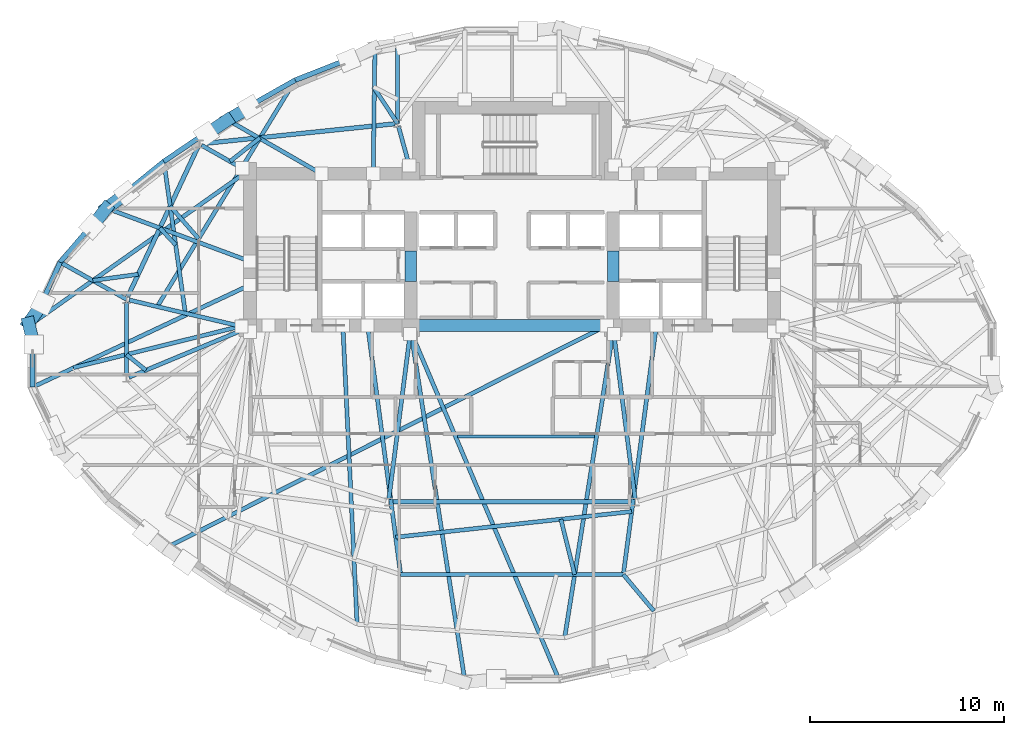
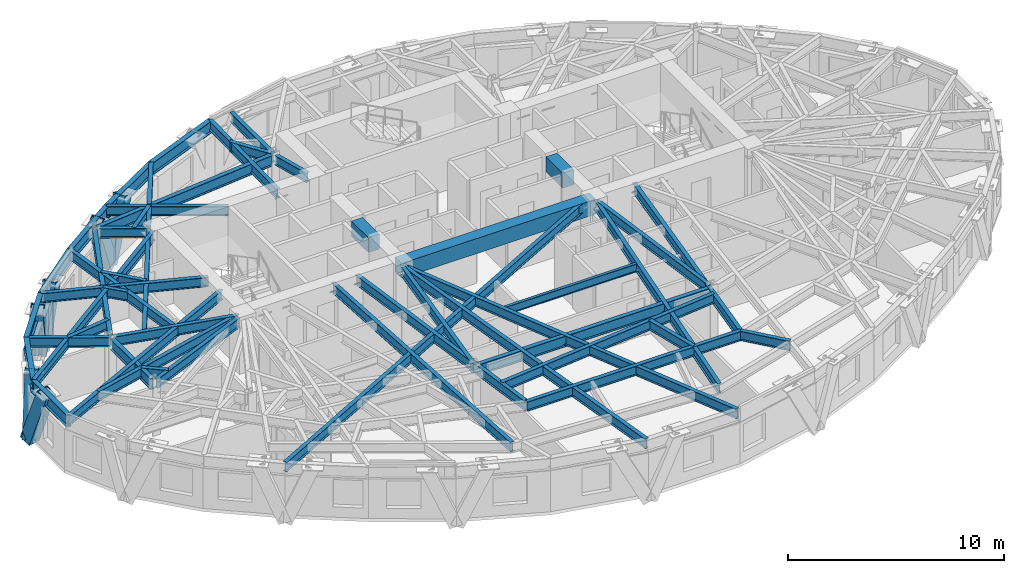
# One storey, part 2 of 14: 48 beams, 6 members.
"""IFC4 building model written with IfcOpenShell, lengths in metres."""

from ifc_helpers import new_model, si_unit, direction, frame, origin, origin_2d, place, context, subcontext, project, spatial, rectangle, hollow_rectangle, i_section, extrude, material, material_profile, profile_set, type_object, element, save


model = new_model("IFC4")

# Units and contexts
model_context = context("Model", 3, precision=1e-05, world=origin(), true_north=direction((0.0, 1.0)))
body_context = subcontext(model_context, "Body", "Model", "MODEL_VIEW")
ifc_project = project(units=[si_unit("LENGTHUNIT", "METRE"), si_unit("AREAUNIT", "SQUARE_METRE"), si_unit("VOLUMEUNIT", "CUBIC_METRE"), si_unit("PLANEANGLEUNIT", "RADIAN"), si_unit("MASSUNIT", "GRAM", prefix="KILO")], contexts=[model_context])

# Site, building, storey
site_placement = place(None, origin())
site = spatial("IfcSite", under=ifc_project, at=site_placement, CompositionType="ELEMENT")
building_placement = place(site_placement, origin())
building = spatial("IfcBuilding", under=site, at=building_placement, Name="Keldmark Tower", CompositionType="ELEMENT")
storey_placement = place(building_placement, frame((0.0, 0.0, 185.39990234375)))
storey = spatial("IfcBuildingStorey", under=building, at=storey_placement, Name="L51", CompositionType="ELEMENT", Elevation=185.39990234375)

# Beams
ifc_material_1 = material(Name="Steel ASTM A992 Grade 50", Category="steel")
ifc_material_profile_1 = material_profile(ifc_material_1, i_section(OverallWidth=0.153076171875, OverallDepth=0.455078125, WebThickness=0.008056640625, FlangeThickness=0.01318359375, at=origin_2d()), Name="W18X40")
ifc_profile_set_1 = profile_set([ifc_material_profile_1], Name="Steel ASTM A992 Grade 50")
beam_type_1 = type_object("IfcBeamType", Name="Composite Floor Joist W18X40", PredefinedType="JOIST", material=ifc_profile_set_1)
beam_1_placement = place(storey_placement, frame((-2.804443359375, -4.179931640625, 2.79248046875), z_axis=(1.0, 0.0, 0.0), x_axis=(0.0, 1.0, 0.0)))
element("IfcBeam", 1, at=beam_1_placement, inside=storey, type_object=beam_type_1, Name="L51 Composite Floor Joist J03", PredefinedType="JOIST", context=body_context, shape_type="SweptSolid", body=[
    extrude(i_section(OverallWidth=0.153076171875, OverallDepth=0.455078125, WebThickness=0.008056640625, FlangeThickness=0.01318359375, at=origin_2d()), origin(), (0.0, 0.0, 1.0), 7.0556640625),
])
ifc_material_2 = material(Name="Concrete C50/60", Category="concrete")
ifc_material_profile_2 = material_profile(ifc_material_2, rectangle(XDim=0.60009765625, YDim=0.85009765625, at=origin_2d()), Name="RCB600X850")
ifc_profile_set_2 = profile_set([ifc_material_profile_2], Name="Concrete C50/60")
beam_type_2 = type_object("IfcBeamType", Name="Core Coupling Beam RCB600X850", PredefinedType="USERDEFINED", material=ifc_profile_set_2)
for number, where, z_axis, x_axis, name in (
    (2, (-5.199951171875, 3.800048828125, 2.59521484375), (0.0, 1.0, 0.0), (-1.0, 0.0, 0.0), "L51 West Core Coupling Beam"),
    (3, (5.199951171875, 3.800048828125, 2.59521484375), (0.0, 1.0, 0.0), (-1.0, 0.0, 0.0), "L51 East Core Coupling Beam"),
):
    element("IfcBeam", number, at=place(storey_placement, frame(where, z_axis=z_axis, x_axis=x_axis)), inside=storey, type_object=beam_type_2, Name=name, ObjectType="COUPLING BEAM", PredefinedType="USERDEFINED", context=body_context, shape_type="SweptSolid", body=[
        extrude(rectangle(XDim=0.60009765625, YDim=0.85009765625, at=origin_2d()), origin(), (0.0, 0.0, 1.0), 1.550048828125),
    ])
beam_2_placement = place(storey_placement, frame((-5.199951171875, 1.52490234375, 2.59521484375), z_axis=(1.0, 0.0, 0.0), x_axis=(0.0, 1.0, 0.0)))
element("IfcBeam", 4, at=beam_2_placement, inside=storey, type_object=beam_type_2, Name="L51 Central South Core Coupling Beam", ObjectType="COUPLING BEAM", PredefinedType="USERDEFINED", context=body_context, shape_type="SweptSolid", body=[
    extrude(rectangle(XDim=0.60009765625, YDim=0.85009765625, at=origin_2d()), origin(), (0.0, 0.0, 1.0), 10.39990234375),
])

# Members
ifc_material_3 = material(Name="Steel ASTM A572 Grade 50", Category="steel")
ifc_material_profile_3 = material_profile(ifc_material_3, hollow_rectangle(XDim=0.64990234375, YDim=0.64990234375, WallThickness=0.0400390625, at=origin_2d()), Name="BOX650X650X40")
ifc_profile_set_3 = profile_set([ifc_material_profile_3], Name="Steel ASTM A572 Grade 50")
member_type = type_object("IfcMemberType", Name="Diagrid Zone 3 Brace BOX650X650X40", PredefinedType="BRACE", material=ifc_profile_set_3)
member_1_placement = place(storey_placement, frame((-14.654541015625, 12.075927734375, -0.260009765625), z_axis=(0.340100978366, 0.197397790075, 0.919437565574), x_axis=(-0.501982989483, 0.864877493215, 0.0)))
element("IfcMember", 5, at=member_1_placement, inside=storey, type_object=member_type, Name="L51 Perimeter Diagrid Brace 06A", PredefinedType="BRACE", context=body_context, shape_type="SweptSolid", body=[
    extrude(hollow_rectangle(XDim=0.64990234375, YDim=0.64990234375, WallThickness=0.0400390625, at=origin_2d()), origin(), (0.0, 0.0, 1.0), 3.43701171875),
])
member_2_placement = place(storey_placement, frame((-14.644775390625, 12.08251953125, -0.260009765625), z_axis=(-0.316813120442, -0.209469717125, 0.925068583578), x_axis=(0.551526230064, -0.834157549598, 0.0)))
element("IfcMember", 6, at=member_2_placement, inside=storey, type_object=member_type, Name="L51 Perimeter Diagrid Brace 06B", PredefinedType="BRACE", context=body_context, shape_type="SweptSolid", body=[
    extrude(hollow_rectangle(XDim=0.64990234375, YDim=0.64990234375, WallThickness=0.0400390625, at=origin_2d()), origin(), (0.0, 0.0, 1.0), 3.416015625),
])
member_3_placement = place(storey_placement, frame((-20.87646484375, 7.54345703125, -0.260009765625), z_axis=(0.305871065271, 0.227885727126, 0.924397634572), x_axis=(-0.597450633982, 0.801905692681, 0.0)))
element("IfcMember", 7, at=member_3_placement, inside=storey, type_object=member_type, Name="L51 Perimeter Diagrid Brace 07A", PredefinedType="BRACE", context=body_context, shape_type="SweptSolid", body=[
    extrude(hollow_rectangle(XDim=0.64990234375, YDim=0.64990234375, WallThickness=0.0400390625, at=origin_2d()), origin(), (0.0, 0.0, 1.0), 3.418701171875),
])
member_4_placement = place(storey_placement, frame((-20.8701171875, 7.55322265625, -0.260009765625), z_axis=(-0.216571712892, -0.280647466507, 0.935058122642), x_axis=(0.791683692694, -0.610931199664, 0.0)))
element("IfcMember", 8, at=member_4_placement, inside=storey, type_object=member_type, Name="L51 Perimeter Diagrid Brace 07B", PredefinedType="BRACE", context=body_context, shape_type="SweptSolid", body=[
    extrude(hollow_rectangle(XDim=0.64990234375, YDim=0.64990234375, WallThickness=0.0400390625, at=origin_2d()), origin(), (0.0, 0.0, 1.0), 3.379638671875),
])
member_5_placement = place(storey_placement, frame((-24.865478515625, 1.646728515625, -0.260009765625), z_axis=(0.216765008416, 0.301620403835, 0.928460049284), x_axis=(-0.812046830556, 0.583592276323, 0.0)))
element("IfcMember", 9, at=member_5_placement, inside=storey, type_object=member_type, Name="L51 Perimeter Diagrid Brace 08A", PredefinedType="BRACE", context=body_context, shape_type="SweptSolid", body=[
    extrude(hollow_rectangle(XDim=0.64990234375, YDim=0.64990234375, WallThickness=0.0400390625, at=origin_2d()), origin(), (0.0, 0.0, 1.0), 3.403564453125),
])
member_6_placement = place(storey_placement, frame((-24.863037109375, 1.658203125, -0.260009765625), z_axis=(0.078726859085, -0.331756727213, 0.940074228775), x_axis=(0.97297963137, 0.230890963311, 0.0)))
element("IfcMember", 10, at=member_6_placement, inside=storey, type_object=member_type, Name="L51 Perimeter Diagrid Brace 08B", PredefinedType="BRACE", context=body_context, shape_type="SweptSolid", body=[
    extrude(hollow_rectangle(XDim=0.64990234375, YDim=0.64990234375, WallThickness=0.0400390625, at=origin_2d()), origin(), (0.0, 0.0, 1.0), 3.361572265625),
])

# Beams
ifc_material_4 = material(Name="Steel ASTM A992 Grade 50", Category="steel")
ifc_material_profile_4 = material_profile(ifc_material_4, i_section(OverallWidth=0.22900390625, OverallDepth=0.612060546875, WebThickness=0.011962890625, FlangeThickness=0.01953125, at=origin_2d()), Name="W24X84")
ifc_profile_set_4 = profile_set([ifc_material_profile_4], Name="Steel ASTM A992 Grade 50")
beam_type_3 = type_object("IfcBeamType", Name="Primary Floor Girder W24X84", PredefinedType="BEAM", material=ifc_profile_set_4)
beam_3_placement = place(storey_placement, frame((-6.01953125, 11.90087890625, 2.714111328125), z_axis=(-0.994702930931, -0.102791435423, 0.0), x_axis=(0.102791435423, -0.994702930931, 0.0)))
element("IfcBeam", 11, at=beam_3_placement, inside=storey, type_object=beam_type_3, Name="L51 Floor Ring Girder FG-R04", PredefinedType="BEAM", context=body_context, shape_type="SweptSolid", body=[
    extrude(i_section(OverallWidth=0.22900390625, OverallDepth=0.612060546875, WebThickness=0.011962890625, FlangeThickness=0.01953125, at=origin_2d()), origin(), (0.0, 0.0, 1.0), 9.975341796875),
])
beam_4_placement = place(storey_placement, frame((-16.140869140625, 10.734130859375, 2.714111328125), z_axis=(-0.424526823774, -0.905415360979, 0.0), x_axis=(0.905415360979, -0.424526823774, 0.0)))
element("IfcBeam", 12, at=beam_4_placement, inside=storey, type_object=beam_type_3, Name="L51 Floor Ring Girder FG-R05", PredefinedType="BEAM", context=body_context, shape_type="SweptSolid", body=[
    extrude(i_section(OverallWidth=0.22900390625, OverallDepth=0.612060546875, WebThickness=0.011962890625, FlangeThickness=0.01953125, at=origin_2d()), origin(), (0.0, 0.0, 1.0), 8.54638671875),
])
beam_5_placement = place(storey_placement, frame((-19.828369140625, 2.729248046875, 2.714111328125), z_axis=(0.0, -1.0, 0.0), x_axis=(1.0, 0.0, 0.0)))
element("IfcBeam", 13, at=beam_5_placement, inside=storey, type_object=beam_type_3, Name="L51 Floor Ring Girder FG-R06", PredefinedType="BEAM", context=body_context, shape_type="SweptSolid", body=[
    extrude(i_section(OverallWidth=0.22900390625, OverallDepth=0.612060546875, WebThickness=0.011962890625, FlangeThickness=0.01953125, at=origin_2d()), origin(), (0.0, 0.0, 1.0), 3.778564453125),
])
beam_6_placement = place(storey_placement, frame((-6.211181640625, -7.546142578125, 2.714111328125), z_axis=(1.0, 0.0, 0.0), x_axis=(0.0, 1.0, 0.0)))
element("IfcBeam", 14, at=beam_6_placement, inside=storey, type_object=beam_type_3, Name="L51 Floor Ring Girder FG-R09", PredefinedType="BEAM", context=body_context, shape_type="SweptSolid", body=[
    extrude(i_section(OverallWidth=0.22900390625, OverallDepth=0.612060546875, WebThickness=0.011962890625, FlangeThickness=0.01953125, at=origin_2d()), origin(), (0.0, 0.0, 1.0), 12.42236328125),
])
ifc_material_5 = material(Name="Steel ASTM A992 Grade 50", Category="steel")
ifc_material_profile_5 = material_profile(ifc_material_5, i_section(OverallWidth=0.2099609375, OverallDepth=0.537109375, WebThickness=0.010986328125, FlangeThickness=0.017333984375, at=origin_2d()), Name="W21X68")
ifc_profile_set_5 = profile_set([ifc_material_profile_5], Name="Steel ASTM A992 Grade 50")
beam_type_4 = type_object("IfcBeamType", Name="Radial Tie Girder W21X68", PredefinedType="BEAM", material=ifc_profile_set_5)
beam_7_placement = place(storey_placement, frame((-5.843017578125, 11.7802734375, 2.751708984375), z_axis=(0.265992411, -0.963975122755, 0.0), x_axis=(0.963975122755, 0.265992411, 0.0)))
element("IfcBeam", 15, at=beam_7_placement, inside=storey, type_object=beam_type_4, Name="L51 Floor Radial Girder FG-C04", PredefinedType="BEAM", context=body_context, shape_type="SweptSolid", body=[
    extrude(i_section(OverallWidth=0.2099609375, OverallDepth=0.537109375, WebThickness=0.010986328125, FlangeThickness=0.017333984375, at=origin_2d()), origin(), (0.0, 0.0, 1.0), 2.09716796875),
])
beam_8_placement = place(storey_placement, frame((-15.959716796875, 10.791748046875, 2.751708984375), z_axis=(0.86929527307, -0.494293160197, 0.0), x_axis=(0.494293160197, 0.86929527307, 0.0)))
element("IfcBeam", 16, at=beam_8_placement, inside=storey, type_object=beam_type_4, Name="L51 Floor Radial Girder FG-C05", PredefinedType="BEAM", context=body_context, shape_type="SweptSolid", body=[
    extrude(i_section(OverallWidth=0.2099609375, OverallDepth=0.537109375, WebThickness=0.010986328125, FlangeThickness=0.017333984375, at=origin_2d()), origin(), (0.0, 0.0, 1.0), 2.39453125),
])
beam_9_placement = place(storey_placement, frame((-19.692138671875, 2.837158203125, 2.751708984375), z_axis=(0.973280062348, -0.229621253887, 0.0), x_axis=(0.229621253887, 0.973280062348, 0.0)))
element("IfcBeam", 17, at=beam_9_placement, inside=storey, type_object=beam_type_4, Name="L51 Floor Radial Girder FG-C06", PredefinedType="BEAM", context=body_context, shape_type="SweptSolid", body=[
    extrude(i_section(OverallWidth=0.2099609375, OverallDepth=0.537109375, WebThickness=0.010986328125, FlangeThickness=0.017333984375, at=origin_2d()), origin(), (0.0, 0.0, 1.0), 5.939208984375),
])
beam_10_placement = place(storey_placement, frame((-19.69921875, -1.135498046875, 2.751708984375), z_axis=(0.923393794893, 0.383854008124, 0.0), x_axis=(-0.383854008124, 0.923393794893, 0.0)))
element("IfcBeam", 18, at=beam_10_placement, inside=storey, type_object=beam_type_4, Name="L51 Floor Radial Girder FG-C07", PredefinedType="BEAM", context=body_context, shape_type="SweptSolid", body=[
    extrude(i_section(OverallWidth=0.2099609375, OverallDepth=0.537109375, WebThickness=0.010986328125, FlangeThickness=0.017333984375, at=origin_2d()), origin(), (0.0, 0.0, 1.0), 6.28515625),
])
for number, where, z_axis, x_axis, name in (
    (19, (-6.333251953125, -7.4072265625, 2.751708984375), (0.127635577416, 0.991821132754, 0.0), (-0.991821132754, 0.127635577416, 0.0), "L51 Floor Radial Girder FG-C09"),
    (20, (6.333251953125, -7.4072265625, 2.751708984375), (-0.127635577416, 0.991821132754, 0.0), (-0.991821132754, -0.127635577416, 0.0), "L51 Floor Radial Girder FG-C10"),
):
    element("IfcBeam", number, at=place(storey_placement, frame(where, z_axis=z_axis, x_axis=x_axis)), inside=storey, type_object=beam_type_4, Name=name, PredefinedType="BEAM", context=body_context, shape_type="SweptSolid", body=[
        extrude(i_section(OverallWidth=0.2099609375, OverallDepth=0.537109375, WebThickness=0.010986328125, FlangeThickness=0.017333984375, at=origin_2d()), origin(), (0.0, 0.0, 1.0), 8.559814453125),
    ])
beam_11_placement = place(storey_placement, frame((-18.82861328125, -0.773681640625, 2.751708984375), z_axis=(-0.77873068282, 0.627358369383, 0.0), x_axis=(-0.627358369383, -0.77873068282, 0.0)))
element("IfcBeam", 21, at=beam_11_placement, inside=storey, type_object=beam_type_4, Name="L51 Framing Pin Header PH-001", PredefinedType="BEAM", context=body_context, shape_type="SweptSolid", body=[
    extrude(i_section(OverallWidth=0.2099609375, OverallDepth=0.537109375, WebThickness=0.010986328125, FlangeThickness=0.017333984375, at=origin_2d()), origin(), (0.0, 0.0, 1.0), 1.283935546875),
])
beam_12_placement = place(storey_placement, frame((-13.800048828125, 1.52490234375, 2.751708984375), z_axis=(-0.97066389738, -0.240440425727, 0.0), x_axis=(0.240440425727, -0.97066389738, 0.0)))
element("IfcBeam", 22, at=beam_12_placement, inside=storey, type_object=beam_type_4, Name="L51 Sub-Ring Step Girder STP1-M07", PredefinedType="BEAM", context=body_context, shape_type="SweptSolid", body=[
    extrude(i_section(OverallWidth=0.2099609375, OverallDepth=0.537109375, WebThickness=0.010986328125, FlangeThickness=0.017333984375, at=origin_2d()), origin(), (0.0, 0.0, 1.0), 9.022705078125),
])
beam_13_placement = place(storey_placement, frame((-7.425048828125, 1.52490234375, 2.751708984375), z_axis=(0.13137909978, -0.991332200698, 0.0), x_axis=(0.991332200698, 0.13137909978, 0.0)))
element("IfcBeam", 23, at=beam_13_placement, inside=storey, type_object=beam_type_4, Name="L51 Sub-Ring Step Girder STP1-M09", PredefinedType="BEAM", context=body_context, shape_type="SweptSolid", body=[
    extrude(i_section(OverallWidth=0.2099609375, OverallDepth=0.537109375, WebThickness=0.010986328125, FlangeThickness=0.017333984375, at=origin_2d()), origin(), (0.0, 0.0, 1.0), 12.922607421875),
])
beam_14_placement = place(storey_placement, frame((-5.98193359375, -9.364013671875, 2.751708984375), z_axis=(0.994138764913, 0.108111590947, 0.0), x_axis=(-0.108111590947, 0.994138764913, 0.0)))
element("IfcBeam", 24, at=beam_14_placement, inside=storey, type_object=beam_type_4, Name="L51 Framing Pin Header PH-004", PredefinedType="BEAM", context=body_context, shape_type="SweptSolid", body=[
    extrude(i_section(OverallWidth=0.2099609375, OverallDepth=0.537109375, WebThickness=0.010986328125, FlangeThickness=0.017333984375, at=origin_2d()), origin(), (0.0, 0.0, 1.0), 12.210205078125),
])
beam_15_placement = place(storey_placement, frame((7.425048828125, 1.52490234375, 2.751708984375), z_axis=(-0.13137909978, -0.991332200698, 0.0), x_axis=(0.991332200698, -0.13137909978, 0.0)))
element("IfcBeam", 25, at=beam_15_placement, inside=storey, type_object=beam_type_4, Name="L51 Sub-Ring Step Girder STP1-M10", PredefinedType="BEAM", context=body_context, shape_type="SweptSolid", body=[
    extrude(i_section(OverallWidth=0.2099609375, OverallDepth=0.537109375, WebThickness=0.010986328125, FlangeThickness=0.017333984375, at=origin_2d()), origin(), (0.0, 0.0, 1.0), 12.922607421875),
])
beam_16_placement = place(storey_placement, frame((-5.727294921875, -11.28564453125, 2.751708984375), z_axis=(1.0, 0.0, 0.0), x_axis=(0.0, 1.0, 0.0)))
element("IfcBeam", 26, at=beam_16_placement, inside=storey, type_object=beam_type_4, Name="L51 Perimeter Collector Ring Beam CRG1-M09", PredefinedType="BEAM", context=body_context, shape_type="SweptSolid", body=[
    extrude(i_section(OverallWidth=0.2099609375, OverallDepth=0.537109375, WebThickness=0.010986328125, FlangeThickness=0.017333984375, at=origin_2d()), origin(), (0.0, 0.0, 1.0), 11.45458984375),
])
beam_17_placement = place(storey_placement, frame((-8.699951171875, 1.52490234375, 2.751708984375), z_axis=(0.047594565649, -0.998866736517, 0.0), x_axis=(0.998866736517, 0.047594565649, 0.0)))
element("IfcBeam", 27, at=beam_17_placement, inside=storey, type_object=beam_type_4, Name="L51 Sub-Ring Step Girder STP2-M09", PredefinedType="BEAM", context=body_context, shape_type="SweptSolid", body=[
    extrude(i_section(OverallWidth=0.2099609375, OverallDepth=0.537109375, WebThickness=0.010986328125, FlangeThickness=0.017333984375, at=origin_2d()), origin(), (0.0, 0.0, 1.0), 15.37841796875),
])
beam_18_placement = place(storey_placement, frame((2.51513671875, -8.43994140625, 2.751708984375), z_axis=(0.241595261194, -0.970377106989, 0.0), x_axis=(0.970377106989, 0.241595261194, 0.0)))
element("IfcBeam", 28, at=beam_18_placement, inside=storey, type_object=beam_type_4, Name="L51 Framing Pin Header PH-009", PredefinedType="BEAM", context=body_context, shape_type="SweptSolid", body=[
    extrude(i_section(OverallWidth=0.2099609375, OverallDepth=0.537109375, WebThickness=0.010986328125, FlangeThickness=0.017333984375, at=origin_2d()), origin(), (0.0, 0.0, 1.0), 2.9326171875),
])
beam_19_placement = place(storey_placement, frame((5.199951171875, 1.199951171875, 2.751708984375), z_axis=(-0.156354450656, -0.987701010306, 0.0), x_axis=(0.987701010306, -0.156354450656, 0.0)))
element("IfcBeam", 29, at=beam_19_placement, inside=storey, type_object=beam_type_4, Name="L51 Sub-Ring Step Girder STP2-M10", PredefinedType="BEAM", context=body_context, shape_type="SweptSolid", body=[
    extrude(i_section(OverallWidth=0.2099609375, OverallDepth=0.537109375, WebThickness=0.010986328125, FlangeThickness=0.017333984375, at=origin_2d()), origin(), (0.0, 0.0, 1.0), 15.931640625),
])
beam_20_placement = place(storey_placement, frame((-14.502685546875, 9.96337890625, 2.751708984375), z_axis=(0.785294635807, 0.619122229429, 0.0), x_axis=(-0.619122229429, 0.785294635807, 0.0)))
element("IfcBeam", 30, at=beam_20_placement, inside=storey, type_object=beam_type_4, Name="L51 Framing Pin Header PH-016", PredefinedType="BEAM", context=body_context, shape_type="SweptSolid", body=[
    extrude(i_section(OverallWidth=0.2099609375, OverallDepth=0.537109375, WebThickness=0.010986328125, FlangeThickness=0.017333984375, at=origin_2d()), origin(), (0.0, 0.0, 1.0), 1.9716796875),
])
beam_21_placement = place(storey_placement, frame((-18.246826171875, 2.49609375, 2.751708984375), z_axis=(0.520230860699, 0.854025673839, 0.0), x_axis=(-0.854025673839, 0.520230860699, 0.0)))
element("IfcBeam", 31, at=beam_21_placement, inside=storey, type_object=beam_type_4, Name="L51 Perimeter Radial Tie Girder RT-11", PredefinedType="BEAM", context=body_context, shape_type="SweptSolid", body=[
    extrude(i_section(OverallWidth=0.2099609375, OverallDepth=0.537109375, WebThickness=0.010986328125, FlangeThickness=0.017333984375, at=origin_2d()), origin(), (0.0, 0.0, 1.0), 13.638671875),
])
beam_22_placement = place(storey_placement, frame((-9.8037109375, 9.324951171875, 2.751708984375), z_axis=(-0.866785686399, 0.498680833654, 0.0), x_axis=(-0.498680833654, -0.866785686399, 0.0)))
element("IfcBeam", 32, at=beam_22_placement, inside=storey, type_object=beam_type_4, Name="L51 Perimeter Radial Tie Girder RT-12", PredefinedType="BEAM", context=body_context, shape_type="SweptSolid", body=[
    extrude(i_section(OverallWidth=0.2099609375, OverallDepth=0.537109375, WebThickness=0.010986328125, FlangeThickness=0.017333984375, at=origin_2d()), origin(), (0.0, 0.0, 1.0), 5.642822265625),
])
beam_23_placement = place(storey_placement, frame((-16.118408203125, 5.990478515625, 2.751708984375), z_axis=(-0.658162268548, 0.752876104189, 0.0), x_axis=(-0.752876104189, -0.658162268548, 0.0)))
element("IfcBeam", 33, at=beam_23_placement, inside=storey, type_object=beam_type_4, Name="L51 Framing Pin Header PH-017", PredefinedType="BEAM", context=body_context, shape_type="SweptSolid", body=[
    extrude(i_section(OverallWidth=0.2099609375, OverallDepth=0.537109375, WebThickness=0.010986328125, FlangeThickness=0.017333984375, at=origin_2d()), origin(), (0.0, 0.0, 1.0), 2.221923828125),
])
beam_24_placement = place(storey_placement, frame((-16.8017578125, 2.1552734375, 2.751708984375), z_axis=(-0.140021004726, 0.990148533421, 0.0), x_axis=(-0.990148533421, -0.140021004726, 0.0)))
element("IfcBeam", 34, at=beam_24_placement, inside=storey, type_object=beam_type_4, Name="L51 Perimeter Radial Tie Girder RT-13", PredefinedType="BEAM", context=body_context, shape_type="SweptSolid", body=[
    extrude(i_section(OverallWidth=0.2099609375, OverallDepth=0.537109375, WebThickness=0.010986328125, FlangeThickness=0.017333984375, at=origin_2d()), origin(), (0.0, 0.0, 1.0), 7.884521484375),
])
beam_25_placement = place(storey_placement, frame((-17.298583984375, 5.66845703125, 2.751708984375), z_axis=(-0.680963073021, 0.732317754244, 0.0), x_axis=(-0.732317754244, -0.680963073021, 0.0)))
element("IfcBeam", 35, at=beam_25_placement, inside=storey, type_object=beam_type_4, Name="L51 Framing Pin Header PH-018", PredefinedType="BEAM", context=body_context, shape_type="SweptSolid", body=[
    extrude(i_section(OverallWidth=0.2099609375, OverallDepth=0.537109375, WebThickness=0.010986328125, FlangeThickness=0.017333984375, at=origin_2d()), origin(), (0.0, 0.0, 1.0), 1.1884765625),
])
beam_26_placement = place(storey_placement, frame((-13.47509765625, 4.8212890625, 2.751708984375), z_axis=(-0.937641815851, 0.347602970596, 0.0), x_axis=(-0.347602970596, -0.937641815851, 0.0)))
element("IfcBeam", 36, at=beam_26_placement, inside=storey, type_object=beam_type_4, Name="L51 Perimeter Radial Tie Girder RT-14", PredefinedType="BEAM", context=body_context, shape_type="SweptSolid", body=[
    extrude(i_section(OverallWidth=0.2099609375, OverallDepth=0.537109375, WebThickness=0.010986328125, FlangeThickness=0.017333984375, at=origin_2d()), origin(), (0.0, 0.0, 1.0), 7.87890625),
])
beam_27_placement = place(storey_placement, frame((-19.828369140625, 2.869140625, 2.751708984375), z_axis=(-0.872492831693, 0.488626911502, 0.0), x_axis=(-0.488626911502, -0.872492831693, 0.0)))
element("IfcBeam", 37, at=beam_27_placement, inside=storey, type_object=beam_type_4, Name="L51 Perimeter Column Bracket RT-15", PredefinedType="BEAM", context=body_context, shape_type="SweptSolid", body=[
    extrude(i_section(OverallWidth=0.2099609375, OverallDepth=0.537109375, WebThickness=0.010986328125, FlangeThickness=0.017333984375, at=origin_2d()), origin(), (0.0, 0.0, 1.0), 3.789306640625),
])
beam_28_placement = place(storey_placement, frame((-19.224853515625, 4.15673828125, 2.751708984375), z_axis=(-0.990811238003, -0.135251952468, 0.0), x_axis=(0.135251952468, -0.990811238003, 0.0)))
element("IfcBeam", 38, at=beam_28_placement, inside=storey, type_object=beam_type_4, Name="L51 Framing Pin Header PH-019", PredefinedType="BEAM", context=body_context, shape_type="SweptSolid", body=[
    extrude(i_section(OverallWidth=0.2099609375, OverallDepth=0.537109375, WebThickness=0.010986328125, FlangeThickness=0.017333984375, at=origin_2d()), origin(), (0.0, 0.0, 1.0), 2.355712890625),
])
beam_29_placement = place(storey_placement, frame((-13.800048828125, 9.324951171875, 2.751708984375), z_axis=(-0.816475586393, -0.5773799588, 0.0), x_axis=(0.5773799588, -0.816475586393, 0.0)))
element("IfcBeam", 39, at=beam_29_placement, inside=storey, type_object=beam_type_4, Name="L51 Perimeter Radial Tie Girder RT-16", PredefinedType="BEAM", context=body_context, shape_type="SweptSolid", body=[
    extrude(i_section(OverallWidth=0.2099609375, OverallDepth=0.537109375, WebThickness=0.010986328125, FlangeThickness=0.017333984375, at=origin_2d()), origin(), (0.0, 0.0, 1.0), 13.298828125),
])
beam_30_placement = place(storey_placement, frame((-13.47509765625, 3.6142578125, 2.751708984375), z_axis=(-0.904877789308, -0.425671453609, 0.0), x_axis=(0.425671453609, -0.904877789308, 0.0)))
element("IfcBeam", 40, at=beam_30_placement, inside=storey, type_object=beam_type_4, Name="L51 Perimeter Radial Tie Girder RT-17", PredefinedType="BEAM", context=body_context, shape_type="SweptSolid", body=[
    extrude(i_section(OverallWidth=0.2099609375, OverallDepth=0.537109375, WebThickness=0.010986328125, FlangeThickness=0.017333984375, at=origin_2d()), origin(), (0.0, 0.0, 1.0), 12.358642578125),
])
beam_31_placement = place(storey_placement, frame((4.875, 1.52490234375, 2.751708984375), z_axis=(-0.892906285032, -0.450242563681, 0.0), x_axis=(0.450242563681, -0.892906285032, 0.0)))
element("IfcBeam", 41, at=beam_31_placement, inside=storey, type_object=beam_type_4, Name="L51 Perimeter Radial Tie Girder RT-20", PredefinedType="BEAM", context=body_context, shape_type="SweptSolid", body=[
    extrude(i_section(OverallWidth=0.2099609375, OverallDepth=0.537109375, WebThickness=0.010986328125, FlangeThickness=0.017333984375, at=origin_2d()), origin(), (0.0, 0.0, 1.0), 25.512939453125),
])
beam_32_placement = place(storey_placement, frame((-5.199951171875, 1.199951171875, 2.751708984375), z_axis=(0.152855536064, -0.988248544191, 0.0), x_axis=(0.988248544191, 0.152855536064, 0.0)))
element("IfcBeam", 42, at=beam_32_placement, inside=storey, type_object=beam_type_4, Name="L51 Perimeter Radial Tie Girder RT-24", PredefinedType="BEAM", context=body_context, shape_type="SweptSolid", body=[
    extrude(i_section(OverallWidth=0.2099609375, OverallDepth=0.537109375, WebThickness=0.010986328125, FlangeThickness=0.017333984375, at=origin_2d()), origin(), (0.0, 0.0, 1.0), 18.1298828125),
])
beam_33_placement = place(storey_placement, frame((-5.199951171875, 1.199951171875, 2.751708984375), z_axis=(0.391751421524, -0.920071097108, 0.0), x_axis=(0.920071097108, 0.391751421524, 0.0)))
element("IfcBeam", 43, at=beam_33_placement, inside=storey, type_object=beam_type_4, Name="L51 Perimeter Radial Tie Girder RT-25", PredefinedType="BEAM", context=body_context, shape_type="SweptSolid", body=[
    extrude(i_section(OverallWidth=0.2099609375, OverallDepth=0.537109375, WebThickness=0.010986328125, FlangeThickness=0.017333984375, at=origin_2d()), origin(), (0.0, 0.0, 1.0), 19.47314453125),
])
beam_34_placement = place(storey_placement, frame((5.727294921875, -11.28564453125, 2.751708984375), z_axis=(0.642460926882, -0.76631844388, 0.0), x_axis=(0.76631844388, 0.642460926882, 0.0)))
element("IfcBeam", 44, at=beam_34_placement, inside=storey, type_object=beam_type_4, Name="L51 Framing Pin Header PH-028", PredefinedType="BEAM", context=body_context, shape_type="SweptSolid", body=[
    extrude(i_section(OverallWidth=0.2099609375, OverallDepth=0.537109375, WebThickness=0.010986328125, FlangeThickness=0.017333984375, at=origin_2d()), origin(), (0.0, 0.0, 1.0), 2.4443359375),
])
beam_35_placement = place(storey_placement, frame((-5.880126953125, 11.915283203125, 2.751708984375), z_axis=(0.0, 1.0, 0.0), x_axis=(-1.0, 0.0, 0.0)))
element("IfcBeam", 45, at=beam_35_placement, inside=storey, type_object=beam_type_4, Name="L51 North Column Cantilever Girder West FG-TCN-W", PredefinedType="BEAM", context=body_context, shape_type="SweptSolid", body=[
    extrude(i_section(OverallWidth=0.2099609375, OverallDepth=0.537109375, WebThickness=0.010986328125, FlangeThickness=0.017333984375, at=origin_2d()), origin(), (0.0, 0.0, 1.0), 3.880126953125),
])
beam_36_placement = place(storey_placement, frame((-5.880126953125, 11.915283203125, 2.751708984375), z_axis=(-0.553903221583, 0.832581059789, 0.0), x_axis=(-0.832581059789, -0.553903221583, 0.0)))
element("IfcBeam", 46, at=beam_36_placement, inside=storey, type_object=beam_type_4, Name="L51 Column Step Bracket RT-10RS", PredefinedType="BEAM", context=body_context, shape_type="SweptSolid", body=[
    extrude(i_section(OverallWidth=0.2099609375, OverallDepth=0.537109375, WebThickness=0.010986328125, FlangeThickness=0.017333984375, at=origin_2d()), origin(), (0.0, 0.0, 1.0), 2.262939453125),
])
beam_37_placement = place(storey_placement, frame((-7.139404296875, 9.324951171875, 2.751708984375), z_axis=(0.013971374172, 0.999902395589, 0.0), x_axis=(-0.999902395589, 0.013971374172, 0.0)))
element("IfcBeam", 47, at=beam_37_placement, inside=storey, type_object=beam_type_4, Name="L51 Perimeter Radial Tie Girder RT-10R", PredefinedType="BEAM", context=body_context, shape_type="SweptSolid", body=[
    extrude(i_section(OverallWidth=0.2099609375, OverallDepth=0.537109375, WebThickness=0.010986328125, FlangeThickness=0.017333984375, at=origin_2d()), origin(), (0.0, 0.0, 1.0), 6.4306640625),
])
ifc_material_6 = material(Name="Steel ASTM A992 Grade 50", Category="steel")
ifc_material_profile_6 = material_profile(ifc_material_6, i_section(OverallWidth=0.256103515625, OverallDepth=0.693115234375, WebThickness=0.014404296875, FlangeThickness=0.023681640625, at=origin_2d()), Name="W27X114")
ifc_profile_set_6 = profile_set([ifc_material_profile_6], Name="Steel ASTM A992 Grade 50")
beam_type_5 = type_object("IfcBeamType", Name="Spandrel Ring Beam W27X114", PredefinedType="SPANDREL", material=ifc_profile_set_6)
beam_38_placement = place(storey_placement, frame((-7.049560546875, 15.7548828125, 2.673583984375), z_axis=(-0.930785156352, -0.365566673418, 0.0), x_axis=(0.365566673418, -0.930785156352, 0.0)))
element("IfcBeam", 48, at=beam_38_placement, inside=storey, type_object=beam_type_5, Name="L51 Perimeter Spandrel Ring Beam SRB-10", PredefinedType="SPANDREL", context=body_context, shape_type="SweptSolid", body=[
    extrude(i_section(OverallWidth=0.256103515625, OverallDepth=0.693115234375, WebThickness=0.014404296875, FlangeThickness=0.023681640625, at=origin_2d()), origin(), (0.0, 0.0, 1.0), 4.406982421875),
])
beam_39_placement = place(storey_placement, frame((-11.151611328125, 14.143798828125, 2.673583984375), z_axis=(-0.870331543701, -0.492466246598, 0.0), x_axis=(0.492466246598, -0.870331543701, 0.0)))
element("IfcBeam", 49, at=beam_39_placement, inside=storey, type_object=beam_type_5, Name="L51 Perimeter Spandrel Ring Beam SRB-11", PredefinedType="SPANDREL", context=body_context, shape_type="SweptSolid", body=[
    extrude(i_section(OverallWidth=0.256103515625, OverallDepth=0.693115234375, WebThickness=0.014404296875, FlangeThickness=0.023681640625, at=origin_2d()), origin(), (0.0, 0.0, 1.0), 4.071044921875),
])
beam_40_placement = place(storey_placement, frame((-14.69482421875, 12.138916015625, 2.673583984375), z_axis=(-0.82772633423, -0.56113199483, 0.0), x_axis=(0.56113199483, -0.82772633423, 0.0)))
element("IfcBeam", 50, at=beam_40_placement, inside=storey, type_object=beam_type_5, Name="L51 Perimeter Spandrel Ring Beam SRB-12", PredefinedType="SPANDREL", context=body_context, shape_type="SweptSolid", body=[
    extrude(i_section(OverallWidth=0.256103515625, OverallDepth=0.693115234375, WebThickness=0.014404296875, FlangeThickness=0.023681640625, at=origin_2d()), origin(), (0.0, 0.0, 1.0), 3.879150390625),
])
beam_41_placement = place(storey_placement, frame((-17.90576171875, 9.962158203125, 2.673583984375), z_axis=(-0.776176722502, -0.630515420467, 0.0), x_axis=(0.630515420467, -0.776176722502, 0.0)))
element("IfcBeam", 51, at=beam_41_placement, inside=storey, type_object=beam_type_5, Name="L51 Perimeter Spandrel Ring Beam SRB-13", PredefinedType="SPANDREL", context=body_context, shape_type="SweptSolid", body=[
    extrude(i_section(OverallWidth=0.256103515625, OverallDepth=0.693115234375, WebThickness=0.014404296875, FlangeThickness=0.023681640625, at=origin_2d()), origin(), (0.0, 0.0, 1.0), 3.809814453125),
])
beam_42_placement = place(storey_placement, frame((-20.86279296875, 7.56005859375, 2.673583984375), z_axis=(-0.649680381306, -0.760207473092, 0.0), x_axis=(0.760207473092, -0.649680381306, 0.0)))
element("IfcBeam", 52, at=beam_42_placement, inside=storey, type_object=beam_type_5, Name="L51 Perimeter Spandrel Ring Beam SRB-14", PredefinedType="SPANDREL", context=body_context, shape_type="SweptSolid", body=[
    extrude(i_section(OverallWidth=0.256103515625, OverallDepth=0.693115234375, WebThickness=0.014404296875, FlangeThickness=0.023681640625, at=origin_2d()), origin(), (0.0, 0.0, 1.0), 3.657958984375),
])
beam_43_placement = place(storey_placement, frame((-23.2392578125, 4.779296875, 2.673583984375), z_axis=(-0.412583132773, -0.91091995178, 0.0), x_axis=(0.91091995178, -0.412583132773, 0.0)))
element("IfcBeam", 53, at=beam_43_placement, inside=storey, type_object=beam_type_5, Name="L51 Perimeter Spandrel Ring Beam SRB-15", PredefinedType="SPANDREL", context=body_context, shape_type="SweptSolid", body=[
    extrude(i_section(OverallWidth=0.256103515625, OverallDepth=0.693115234375, WebThickness=0.014404296875, FlangeThickness=0.023681640625, at=origin_2d()), origin(), (0.0, 0.0, 1.0), 3.439208984375),
])
beam_44_placement = place(storey_placement, frame((-24.658203125, 1.646484375, 2.673583984375), z_axis=(0.0, -1.0, 0.0), x_axis=(1.0, 0.0, 0.0)))
element("IfcBeam", 54, at=beam_44_placement, inside=storey, type_object=beam_type_5, Name="L51 Perimeter Spandrel Ring Beam SRB-16", PredefinedType="SPANDREL", context=body_context, shape_type="SweptSolid", body=[
    extrude(i_section(OverallWidth=0.256103515625, OverallDepth=0.693115234375, WebThickness=0.014404296875, FlangeThickness=0.023681640625, at=origin_2d()), origin(), (0.0, 0.0, 1.0), 3.29296875),
])

save(model, "model.ifc")
